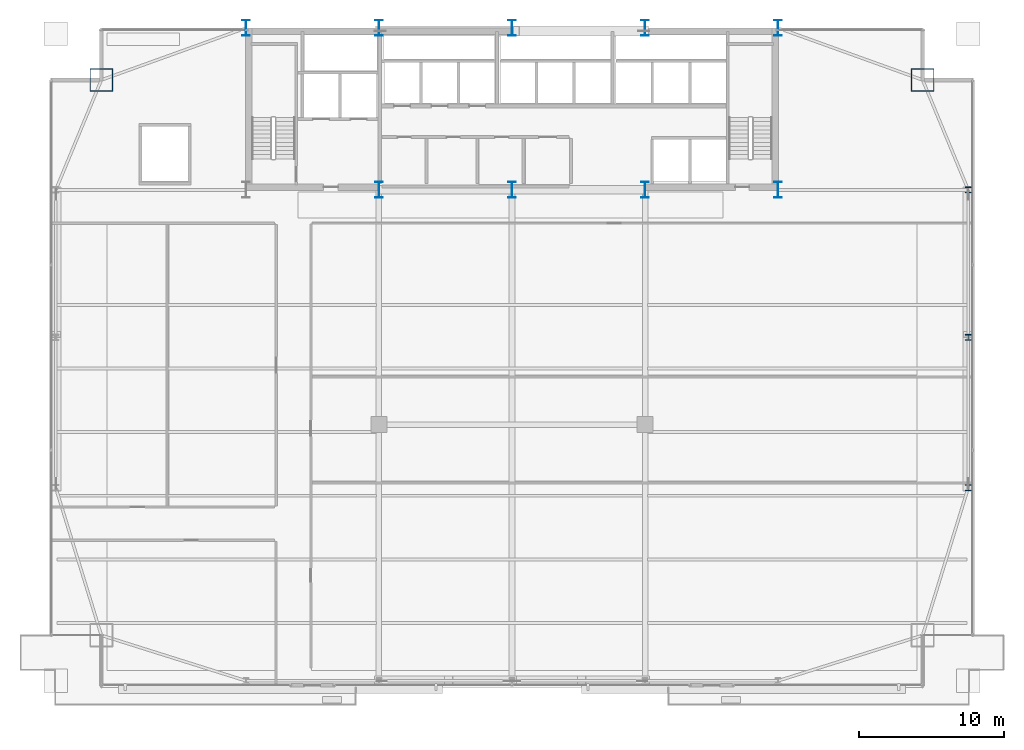
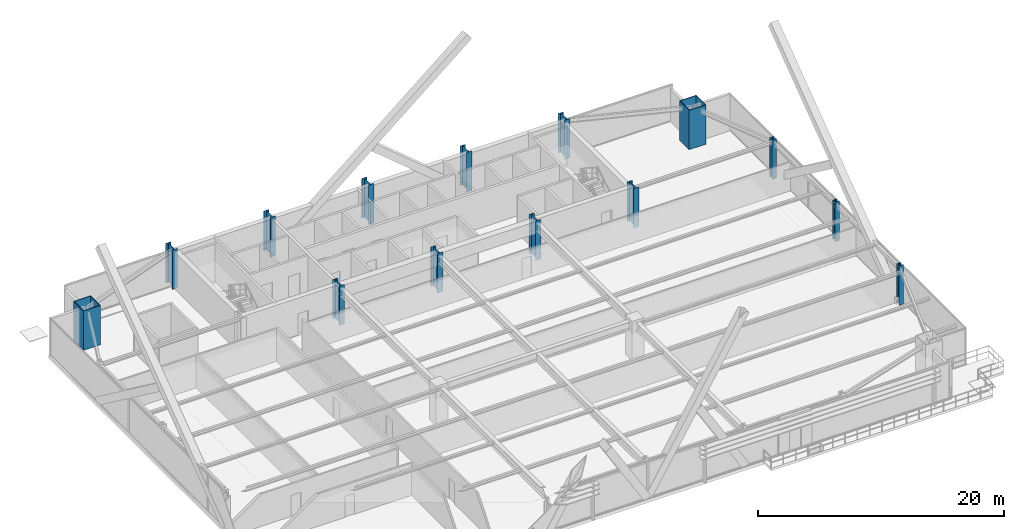
# One storey, part 2 of 34: 14 columns.
"""IFC4 building model written with IfcOpenShell, lengths in metres."""

from ifc_helpers import new_model, si_unit, direction, frame, origin, origin_2d, place, context, subcontext, project, spatial, hollow_rectangle, i_section, extrude, source, transform, mapped, material, material_profile, profile_set, type_object, type_shapes, element, save


model = new_model("IFC4")

# Units and contexts
model_context = context("Model", 3, precision=1e-05, world=origin(), true_north=direction((0.0, 1.0)))
body_context = subcontext(model_context, "Body", "Model", "MODEL_VIEW")
ifc_project = project(units=[si_unit("LENGTHUNIT", "METRE"), si_unit("AREAUNIT", "SQUARE_METRE"), si_unit("VOLUMEUNIT", "CUBIC_METRE"), si_unit("PLANEANGLEUNIT", "RADIAN"), si_unit("MASSUNIT", "GRAM", prefix="KILO")], contexts=[model_context])

# Site, building, storey
site_placement = place(None, origin())
site = spatial("IfcSite", under=ifc_project, at=site_placement, CompositionType="ELEMENT")
building_placement = place(site_placement, origin())
building = spatial("IfcBuilding", under=site, at=building_placement, Name="Varnel Quay Broadcast Tower", CompositionType="ELEMENT")
storey_placement = place(building_placement, frame((0.0, 0.0, 27.60009765625)))
storey = spatial("IfcBuildingStorey", under=building, at=storey_placement, Name="L05", CompositionType="ELEMENT", Elevation=27.60009765625)

# Columns
ifc_material_1 = material(Name="Structural Steel CSA G40.21 350WT", Category="steel")
ifc_material_profile_1 = material_profile(ifc_material_1, i_section(OverallWidth=0.5, OverallDepth=1.10009765625, WebThickness=0.01806640625, FlangeThickness=0.031982421875, FilletRadius=0.01806640625, at=origin_2d()), Name="WWF1100X418")
ifc_profile_set_1 = profile_set([ifc_material_profile_1], Name="Structural Steel CSA G40.21 350WT")
column_type_1 = type_object("IfcColumnType", Name="Col_WWF1100X418", PredefinedType="COLUMN", material=ifc_profile_set_1)
shared_shape_1 = source(origin(), body_context, "Body", "SweptSolid", [
    extrude(i_section(OverallWidth=0.5, OverallDepth=1.10009765625, WebThickness=0.01806640625, FlangeThickness=0.031982421875, FilletRadius=0.01806640625, at=origin_2d()), origin(), (0.0, 0.0, 1.0), 3.89990234375),
])
type_shapes(column_type_1, [shared_shape_1])
for number, where, z_axis, x_axis, name in (
    (1, (15.60009765625, 46.800048828125, 0.0), (0.0, 0.0, 1.0), (1.0, 0.0, 0.0), "L05 Column CC-N1"),
    (2, (24.800048828125, 35.60009765625, 0.0), (0.0, 0.0, 1.0), (1.0, 0.0, 0.0), "L05 Column CC-S2"),
    (3, (24.800048828125, 46.800048828125, 0.0), (0.0, 0.0, 1.0), (1.0, 0.0, 0.0), "L05 Column CC-N2"),
    (4, (34.0, 35.60009765625, 0.0), (0.0, 0.0, 1.0), (1.0, 0.0, 0.0), "L05 Column CC-S3"),
    (5, (34.0, 46.800048828125, 0.0), (0.0, 0.0, 1.0), (1.0, 0.0, 0.0), "L05 Column CC-N3"),
    (6, (43.199951171875, 35.60009765625, 0.0), (0.0, 0.0, 1.0), (1.0, 0.0, 0.0), "L05 Column CC-S4"),
    (7, (43.199951171875, 46.800048828125, 0.0), (0.0, 0.0, 1.0), (1.0, 0.0, 0.0), "L05 Column CC-N4"),
    (8, (52.39990234375, 35.60009765625, 0.0), (0.0, 0.0, 1.0), (1.0, 0.0, 0.0), "L05 Column CC-S5"),
    (9, (52.39990234375, 46.800048828125, 0.0), (0.0, 0.0, 1.0), (1.0, 0.0, 0.0), "L05 Column CC-N5"),
):
    element("IfcColumn", number, at=place(storey_placement, frame(where, z_axis=z_axis, x_axis=x_axis)), inside=storey, type_object=column_type_1, Name=name, PredefinedType="COLUMN", context=body_context, shape_type="MappedRepresentation", body=[
        mapped(shared_shape_1, transform((0.0, 0.0, 0.0), x_axis=(1.0, 0.0, 0.0), y_axis=(0.0, 1.0, 0.0), z_axis=(0.0, 0.0, 1.0), scale=1.0)),
    ])
ifc_material_profile_2 = material_profile(ifc_material_1, hollow_rectangle(XDim=1.60009765625, YDim=1.60009765625, WallThickness=0.06005859375, at=origin_2d()), Name="BOX1600X1600X60")
ifc_profile_set_2 = profile_set([ifc_material_profile_2], Name="Structural Steel CSA G40.21 350WT")
column_type_2 = type_object("IfcColumnType", Name="Col_BOX1600X1600X60", PredefinedType="COLUMN", material=ifc_profile_set_2)
shared_shape_2 = source(origin(), body_context, "Body", "SweptSolid", [
    extrude(hollow_rectangle(XDim=1.60009765625, YDim=1.60009765625, WallThickness=0.06005859375, at=origin_2d()), origin(), (0.0, 0.0, 1.0), 3.89990234375),
])
type_shapes(column_type_2, [shared_shape_2])
for number, where, z_axis, x_axis, name in (
    (10, (62.39990234375, 43.199951171875, 0.0), (0.0, 0.0, 1.0), (1.0, 0.0, 0.0), "L05 Column MC-NE"),
    (11, (5.60009765625, 43.199951171875, 0.0), (0.0, 0.0, 1.0), (1.0, 0.0, 0.0), "L05 Column MC-NW"),
):
    element("IfcColumn", number, at=place(storey_placement, frame(where, z_axis=z_axis, x_axis=x_axis)), inside=storey, type_object=column_type_2, Name=name, PredefinedType="COLUMN", context=body_context, shape_type="MappedRepresentation", body=[
        mapped(shared_shape_2, transform((0.0, 0.0, 0.0), x_axis=(1.0, 0.0, 0.0), y_axis=(0.0, 1.0, 0.0), z_axis=(0.0, 0.0, 1.0), scale=1.0)),
    ])
ifc_material_2 = material(Name="Structural Steel CSA G40.21 350W", Category="steel")
ifc_material_profile_3 = material_profile(ifc_material_2, i_section(OverallWidth=0.404052734375, OverallDepth=0.406982421875, WebThickness=0.027099609375, FlangeThickness=0.043701171875, FilletRadius=0.01806640625, at=origin_2d()), Name="W360X347")
ifc_profile_set_3 = profile_set([ifc_material_profile_3], Name="Structural Steel CSA G40.21 350W")
column_type_3 = type_object("IfcColumnType", Name="Col_W360X347", PredefinedType="COLUMN", material=ifc_profile_set_3)
shared_shape_3 = source(origin(), body_context, "Body", "SweptSolid", [
    extrude(i_section(OverallWidth=0.404052734375, OverallDepth=0.406982421875, WebThickness=0.027099609375, FlangeThickness=0.043701171875, FilletRadius=0.01806640625, at=origin_2d()), origin(), (0.0, 0.0, 1.0), 3.89990234375),
])
type_shapes(column_type_3, [shared_shape_3])
for number, where, z_axis, x_axis, name in (
    (12, (65.550048828125, 15.0, 0.0), (0.0, 0.0, 1.0), (1.0, 0.0, 0.0), "L05 Column TC-E1"),
    (13, (65.550048828125, 25.39990234375, 0.0), (0.0, 0.0, 1.0), (1.0, 0.0, 0.0), "L05 Column TC-E2"),
    (14, (65.550048828125, 35.60009765625, 0.0), (0.0, 0.0, 1.0), (1.0, 0.0, 0.0), "L05 Column TC-E3"),
):
    element("IfcColumn", number, at=place(storey_placement, frame(where, z_axis=z_axis, x_axis=x_axis)), inside=storey, type_object=column_type_3, Name=name, PredefinedType="COLUMN", context=body_context, shape_type="MappedRepresentation", body=[
        mapped(shared_shape_3, transform((0.0, 0.0, 0.0), x_axis=(1.0, 0.0, 0.0), y_axis=(0.0, 1.0, 0.0), z_axis=(0.0, 0.0, 1.0), scale=1.0)),
    ])

save(model, "model.ifc")
